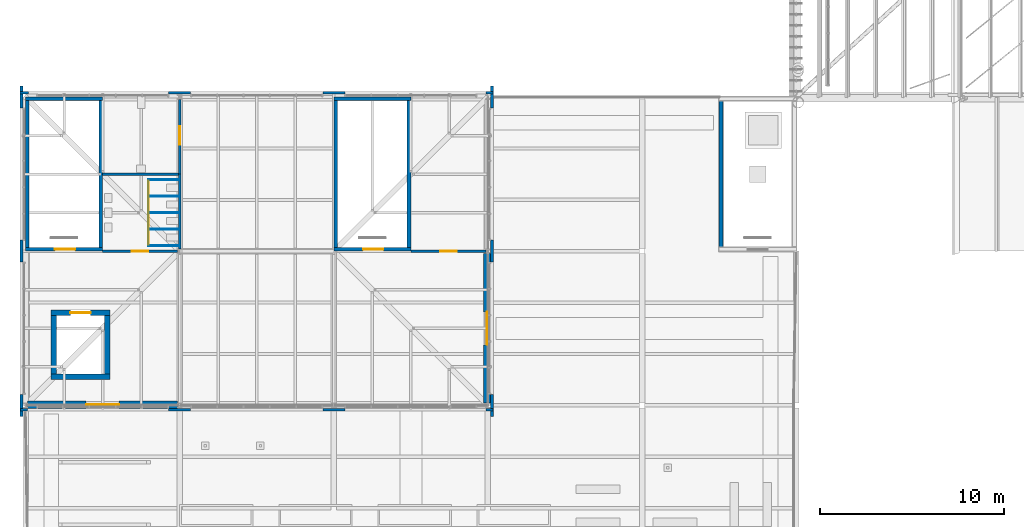
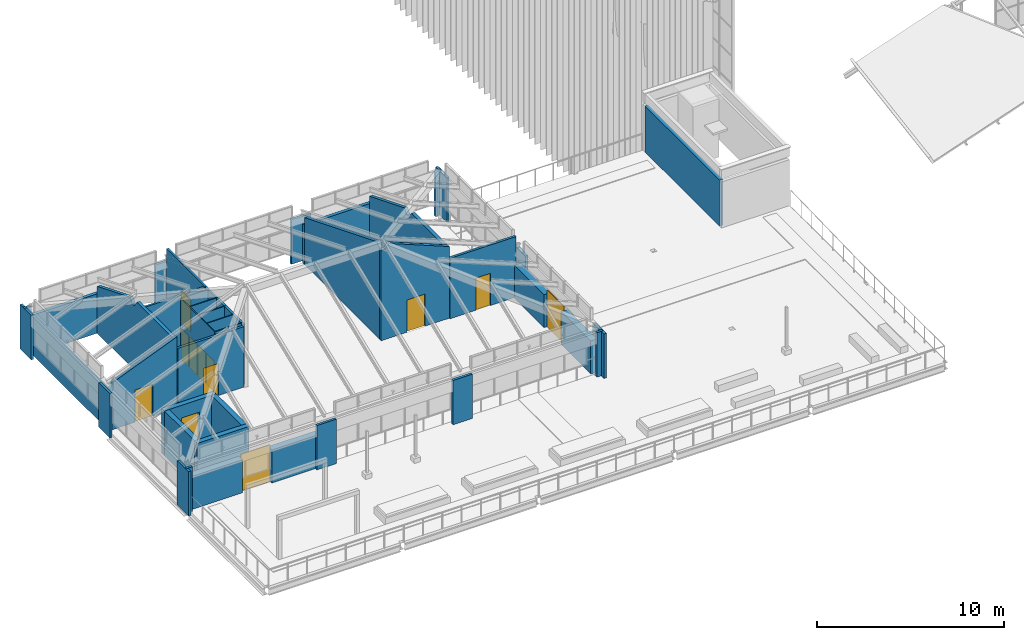
# One storey, part 78 of 126: 40 walls, 12 doors, 12 openings.
"""IFC4 building model written with IfcOpenShell, lengths in metres."""

from ifc_helpers import new_model, si_unit, direction, frame, frame_2d, origin, place, context, subcontext, project, spatial, polyline, rectangle, outline, extrude, material, layer, layer_set, type_object, element, fill, save


model = new_model("IFC4")

# Units and contexts
model_context = context("Model", 3, precision=1e-05, world=origin(), true_north=direction((0.0, 1.0)))
body_context = subcontext(model_context, "Body", "Model", "MODEL_VIEW")
ifc_project = project(units=[si_unit("LENGTHUNIT", "METRE"), si_unit("AREAUNIT", "SQUARE_METRE"), si_unit("VOLUMEUNIT", "CUBIC_METRE"), si_unit("PLANEANGLEUNIT", "RADIAN"), si_unit("MASSUNIT", "GRAM", prefix="KILO")], contexts=[model_context])

# Site, building, storey
site_placement = place(None, origin())
site = spatial("IfcSite", under=ifc_project, at=site_placement, CompositionType="ELEMENT")
building_placement = place(site_placement, origin())
building = spatial("IfcBuilding", under=site, at=building_placement, Name="Sava Quay Ferry Terminal", CompositionType="ELEMENT")
storey_placement = place(building_placement, frame((0.0, 0.0, 15.0)))
storey = spatial("IfcBuildingStorey", under=building, at=storey_placement, Name="L03", CompositionType="ELEMENT", Elevation=15.0)

# Wall, openings, doors
ifc_material_1 = material(Name="High-pressure laminate panel")
ifc_layer_1 = layer(ifc_material_1, 0.050048828125)
ifc_layer_set_1 = layer_set([ifc_layer_1], Name="High-pressure laminate panel")
wall_type_1 = type_object("IfcWallType", Name="Cubicle partition 50", PredefinedType="PARTITIONING", material=ifc_layer_set_1)
wall_1_placement = place(storey_placement, frame((6.699951171875, 42.300048828125, 0.0), z_axis=(0.0, 0.0, 1.0), x_axis=(0.0, 1.0, 0.0)))
wall_1 = element("IfcWall", 1, at=wall_1_placement, inside=storey, type_object=wall_type_1, Name="Cubicle partition panel", PredefinedType="PARTITIONING", context=body_context, shape_type="SweptSolid", body=[
    extrude(rectangle(XDim=3.599853515625, YDim=0.050048828125, at=frame_2d((1.7998046875, 0.0))), origin(), (0.0, 0.0, 1.0), 3.949951171875),
])
opening_1_placement = place(wall_1_placement, frame((0.050048828125, 0.0, 0.0)))
opening_1 = element("IfcOpeningElement", 2, at=opening_1_placement, cuts=wall_1, Name="Opening CD089", PredefinedType="OPENING", context=body_context, shape_type="SweptSolid", body=[
    extrude(rectangle(XDim=0.800048828125, YDim=2.0, at=frame_2d((0.39990234375, 1.0))), frame((0.0, 0.02490234375, 0.0), z_axis=(0.0, -1.0, 0.0), x_axis=(1.0, 0.0, 0.0)), (0.0, 0.0, 1.0), 0.050048828125),
])
opening_2_placement = place(wall_1_placement, frame((0.949951171875, 0.0, 0.0)))
opening_2 = element("IfcOpeningElement", 3, at=opening_2_placement, cuts=wall_1, Name="Opening CD090", PredefinedType="OPENING", context=body_context, shape_type="SweptSolid", body=[
    extrude(rectangle(XDim=0.800048828125, YDim=2.0, at=frame_2d((0.39990234375, 1.0))), frame((0.0, 0.02490234375, 0.0), z_axis=(0.0, -1.0, 0.0), x_axis=(1.0, 0.0, 0.0)), (0.0, 0.0, 1.0), 0.050048828125),
])
opening_3_placement = place(wall_1_placement, frame((1.85009765625, 0.0, 0.0)))
opening_3 = element("IfcOpeningElement", 4, at=opening_3_placement, cuts=wall_1, Name="Opening CD091", PredefinedType="OPENING", context=body_context, shape_type="SweptSolid", body=[
    extrude(rectangle(XDim=0.800048828125, YDim=2.0, at=frame_2d((0.39990234375, 1.0))), frame((0.0, 0.02490234375, 0.0), z_axis=(0.0, -1.0, 0.0), x_axis=(1.0, 0.0, 0.0)), (0.0, 0.0, 1.0), 0.050048828125),
])
opening_4_placement = place(wall_1_placement, frame((2.75, 0.0, 0.0)))
opening_4 = element("IfcOpeningElement", 5, at=opening_4_placement, cuts=wall_1, Name="Opening CD092", PredefinedType="OPENING", context=body_context, shape_type="SweptSolid", body=[
    extrude(rectangle(XDim=0.800048828125, YDim=2.0, at=frame_2d((0.39990234375, 1.0))), frame((0.0, 0.02490234375, 0.0), z_axis=(0.0, -1.0, 0.0), x_axis=(1.0, 0.0, 0.0)), (0.0, 0.0, 1.0), 0.050048828125),
])
ifc_material_2 = material(Name="Laminate door set")
door_type_1 = type_object("IfcDoorType", Name="Cubicle door 800 x 2000", OperationType="NOTDEFINED", PredefinedType="DOOR", material=ifc_material_2)
door_1_placement = place(opening_1_placement, origin())
door_1 = element("IfcDoor", 6, at=door_1_placement, inside=storey, type_object=door_type_1, Name="Cubicle door", OperationType="SINGLE_SWING_RIGHT", OverallHeight=2.0, OverallWidth=0.800048828125, PredefinedType="DOOR", context=body_context, shape_type="SweptSolid", body=[
    extrude(rectangle(XDim=0.800048828125, YDim=2.0, at=frame_2d((0.39990234375, 1.0))), frame((0.0, 0.02490234375, 0.0), z_axis=(0.0, -1.0, 0.0), x_axis=(1.0, 0.0, 0.0)), (0.0, 0.0, 1.0), 0.049560546875),
])
fill(opening_1, door_1)
door_2_placement = place(opening_2_placement, origin())
door_2 = element("IfcDoor", 7, at=door_2_placement, inside=storey, type_object=door_type_1, Name="Cubicle door", OperationType="SINGLE_SWING_LEFT", OverallHeight=2.0, OverallWidth=0.800048828125, PredefinedType="DOOR", context=body_context, shape_type="SweptSolid", body=[
    extrude(rectangle(XDim=0.800048828125, YDim=2.0, at=frame_2d((0.39990234375, 1.0))), frame((0.0, 0.02490234375, 0.0), z_axis=(0.0, -1.0, 0.0), x_axis=(1.0, 0.0, 0.0)), (0.0, 0.0, 1.0), 0.049560546875),
])
fill(opening_2, door_2)
door_3_placement = place(opening_3_placement, origin())
door_3 = element("IfcDoor", 8, at=door_3_placement, inside=storey, type_object=door_type_1, Name="Cubicle door", OperationType="SINGLE_SWING_RIGHT", OverallHeight=2.0, OverallWidth=0.800048828125, PredefinedType="DOOR", context=body_context, shape_type="SweptSolid", body=[
    extrude(rectangle(XDim=0.800048828125, YDim=2.0, at=frame_2d((0.39990234375, 1.0))), frame((0.0, 0.02490234375, 0.0), z_axis=(0.0, -1.0, 0.0), x_axis=(1.0, 0.0, 0.0)), (0.0, 0.0, 1.0), 0.049560546875),
])
fill(opening_3, door_3)
door_4_placement = place(opening_4_placement, origin())
door_4 = element("IfcDoor", 9, at=door_4_placement, inside=storey, type_object=door_type_1, Name="Cubicle door", OperationType="SINGLE_SWING_LEFT", OverallHeight=2.0, OverallWidth=0.800048828125, PredefinedType="DOOR", context=body_context, shape_type="SweptSolid", body=[
    extrude(rectangle(XDim=0.800048828125, YDim=2.0, at=frame_2d((0.39990234375, 1.0))), frame((0.0, 0.02490234375, 0.0), z_axis=(0.0, -1.0, 0.0), x_axis=(1.0, 0.0, 0.0)), (0.0, 0.0, 1.0), 0.049560546875),
])
fill(opening_4, door_4)

# Walls
for number, where, z_axis, x_axis, name in (
    (10, (8.39990234375, 42.300048828125, 0.0), (0.0, 0.0, 1.0), (-1.0, 0.0, 0.0), "Cubicle partition panel"),
    (11, (8.39990234375, 43.199951171875, 0.0), (0.0, 0.0, 1.0), (-1.0, 0.0, 0.0), "Cubicle partition panel"),
    (12, (8.39990234375, 44.10009765625, 0.0), (0.0, 0.0, 1.0), (-1.0, 0.0, 0.0), "Cubicle partition panel"),
    (13, (8.39990234375, 45.0, 0.0), (0.0, 0.0, 1.0), (-1.0, 0.0, 0.0), "Cubicle partition panel"),
    (14, (8.39990234375, 45.89990234375, 0.0), (0.0, 0.0, 1.0), (-1.0, 0.0, 0.0), "Cubicle partition panel"),
):
    element("IfcWall", number, at=place(storey_placement, frame(where, z_axis=z_axis, x_axis=x_axis)), inside=storey, type_object=wall_type_1, Name=name, PredefinedType="PARTITIONING", context=body_context, shape_type="SweptSolid", body=[
        extrude(rectangle(XDim=1.699951171875, YDim=0.050048828125, at=frame_2d((0.85009765625, 0.0))), origin(), (0.0, 0.0, 1.0), 3.949951171875),
    ])
ifc_material_3 = material(Name="Limestone Mutalj", Category="masonry")
ifc_layer_2 = layer(ifc_material_3, 0.14990234375)
ifc_layer_set_2 = layer_set([ifc_layer_2], Name="Limestone Mutalj")
wall_type_2 = type_object("IfcWallType", Name="Pier cladding 150", PredefinedType="SOLIDWALL", material=ifc_layer_set_2)
wall_2_placement = place(storey_placement, frame((-0.22509765625, 33.0, 0.0), z_axis=(0.0, 0.0, 1.0), x_axis=(0.0, 1.0, 0.0)))
element("IfcWall", 15, at=wall_2_placement, inside=storey, type_object=wall_type_2, Name="Pier W-W-PAV grid 33.6", PredefinedType="SOLIDWALL", context=body_context, shape_type="SweptSolid", body=[
    extrude(rectangle(XDim=1.199951171875, YDim=0.14990234375, at=frame_2d((0.60009765625, 0.0))), origin(), (0.0, 0.0, 1.0), 2.89990234375),
])
wall_3_placement = place(storey_placement, frame((-0.22509765625, 41.39990234375, 0.0), z_axis=(0.0, 0.0, 1.0), x_axis=(0.0, 1.0, 0.0)))
element("IfcWall", 16, at=wall_3_placement, inside=storey, type_object=wall_type_2, Name="Pier W-W-PAV grid 42", PredefinedType="SOLIDWALL", context=body_context, shape_type="SweptSolid", body=[
    extrude(rectangle(XDim=1.2001953125, YDim=0.14990234375, at=frame_2d((0.60009765625, 0.0))), origin(), (0.0, 0.0, 1.0), 2.89990234375),
])
wall_4_placement = place(storey_placement, frame((-0.22509765625, 49.800048828125, 0.0), z_axis=(0.0, 0.0, 1.0), x_axis=(0.0, 1.0, 0.0)))
element("IfcWall", 17, at=wall_4_placement, inside=storey, type_object=wall_type_2, Name="Pier W-W-PAV grid 50.4", PredefinedType="SOLIDWALL", context=body_context, shape_type="SweptSolid", body=[
    extrude(rectangle(XDim=1.199951171875, YDim=0.14990234375, at=frame_2d((0.60009765625, 0.0))), origin(), (0.0, 0.0, 1.0), 2.89990234375),
])
wall_5_placement = place(storey_placement, frame((-0.300048828125, 50.635009765625, 0.0), z_axis=(0.0, 0.0, 1.0), x_axis=(1.0, 0.0, 0.0)))
element("IfcWall", 18, at=wall_5_placement, inside=storey, type_object=wall_type_2, Name="Pier W-N-PAV grid 0", PredefinedType="SOLIDWALL", context=body_context, shape_type="SweptSolid", body=[
    extrude(rectangle(XDim=0.449951171875, YDim=0.14990234375, at=frame_2d((0.22509765625, 0.0))), origin(), (0.0, 0.0, 1.0), 2.89990234375),
])
for number, where, z_axis, x_axis, name in (
    (19, (7.800048828125, 50.635009765625, 0.0), (0.0, 0.0, 1.0), (1.0, 0.0, 0.0), "Pier W-N-PAV grid 8.4"),
    (20, (16.199951171875, 50.635009765625, 0.0), (0.0, 0.0, 1.0), (1.0, 0.0, 0.0), "Pier W-N-PAV grid 16.8"),
):
    element("IfcWall", number, at=place(storey_placement, frame(where, z_axis=z_axis, x_axis=x_axis)), inside=storey, type_object=wall_type_2, Name=name, PredefinedType="SOLIDWALL", context=body_context, shape_type="SweptSolid", body=[
        extrude(rectangle(XDim=1.199951171875, YDim=0.14990234375, at=frame_2d((0.60009765625, 0.0))), origin(), (0.0, 0.0, 1.0), 2.89990234375),
    ])
wall_6_placement = place(storey_placement, frame((25.080078125, 50.635009765625, 0.0), z_axis=(0.0, 0.0, 1.0), x_axis=(1.0, 0.0, 0.0)))
element("IfcWall", 21, at=wall_6_placement, inside=storey, type_object=wall_type_2, Name="Pier W-N-PAV grid 25.2", PredefinedType="SOLIDWALL", context=body_context, shape_type="SweptSolid", body=[
    extrude(rectangle(XDim=0.389892578125, YDim=0.14990234375, at=frame_2d((0.19482421875, 0.0))), origin(), (0.0, 0.0, 1.0), 2.89990234375),
])
wall_7_placement = place(storey_placement, frame((25.425048828125, 33.0, 0.0), z_axis=(0.0, 0.0, 1.0), x_axis=(0.0, 1.0, 0.0)))
element("IfcWall", 22, at=wall_7_placement, inside=storey, type_object=wall_type_2, Name="Pier W-E-PAV grid 33.6", PredefinedType="SOLIDWALL", context=body_context, shape_type="SweptSolid", body=[
    extrude(rectangle(XDim=1.199951171875, YDim=0.14990234375, at=frame_2d((0.60009765625, 0.0))), origin(), (0.0, 0.0, 1.0), 2.89990234375),
])
wall_8_placement = place(storey_placement, frame((25.425048828125, 41.39990234375, 0.0), z_axis=(0.0, 0.0, 1.0), x_axis=(0.0, 1.0, 0.0)))
element("IfcWall", 23, at=wall_8_placement, inside=storey, type_object=wall_type_2, Name="Pier W-E-PAV grid 42", PredefinedType="SOLIDWALL", context=body_context, shape_type="SweptSolid", body=[
    extrude(rectangle(XDim=1.2001953125, YDim=0.14990234375, at=frame_2d((0.60009765625, 0.0))), origin(), (0.0, 0.0, 1.0), 2.89990234375),
])
wall_9_placement = place(storey_placement, frame((25.425048828125, 49.800048828125, 0.0), z_axis=(0.0, 0.0, 1.0), x_axis=(0.0, 1.0, 0.0)))
element("IfcWall", 24, at=wall_9_placement, inside=storey, type_object=wall_type_2, Name="Pier W-E-PAV grid 50.4", PredefinedType="SOLIDWALL", context=body_context, shape_type="SweptSolid", body=[
    extrude(rectangle(XDim=1.199951171875, YDim=0.14990234375, at=frame_2d((0.60009765625, 0.0))), origin(), (0.0, 0.0, 1.0), 2.89990234375),
])
wall_10_placement = place(storey_placement, frame((-0.27001953125, 33.364990234375, 0.0), z_axis=(0.0, 0.0, 1.0), x_axis=(1.0, 0.0, 0.0)))
element("IfcWall", 25, at=wall_10_placement, inside=storey, type_object=wall_type_2, Name="Pier W-S-PAV grid 0", PredefinedType="SOLIDWALL", context=body_context, shape_type="SweptSolid", body=[
    extrude(rectangle(XDim=0.39013671875, YDim=0.14990234375, at=frame_2d((0.195068359375, 0.0))), origin(), (0.0, 0.0, 1.0), 2.89990234375),
])
for number, where, z_axis, x_axis, name in (
    (26, (7.800048828125, 33.364990234375, 0.0), (0.0, 0.0, 1.0), (1.0, 0.0, 0.0), "Pier W-S-PAV grid 8.4"),
    (27, (16.199951171875, 33.364990234375, 0.0), (0.0, 0.0, 1.0), (1.0, 0.0, 0.0), "Pier W-S-PAV grid 16.8"),
):
    element("IfcWall", number, at=place(storey_placement, frame(where, z_axis=z_axis, x_axis=x_axis)), inside=storey, type_object=wall_type_2, Name=name, PredefinedType="SOLIDWALL", context=body_context, shape_type="SweptSolid", body=[
        extrude(rectangle(XDim=1.199951171875, YDim=0.14990234375, at=frame_2d((0.60009765625, 0.0))), origin(), (0.0, 0.0, 1.0), 2.89990234375),
    ])
wall_11_placement = place(storey_placement, frame((25.080078125, 33.364990234375, 0.0), z_axis=(0.0, 0.0, 1.0), x_axis=(1.0, 0.0, 0.0)))
element("IfcWall", 28, at=wall_11_placement, inside=storey, type_object=wall_type_2, Name="Pier W-S-PAV grid 25.2", PredefinedType="SOLIDWALL", context=body_context, shape_type="SweptSolid", body=[
    extrude(rectangle(XDim=0.389892578125, YDim=0.14990234375, at=frame_2d((0.19482421875, 0.0))), origin(), (0.0, 0.0, 1.0), 2.89990234375),
])

# Wall, opening, door
ifc_material_4 = material(Name="Masonry blockwork", Category="masonry")
ifc_layer_3 = layer(ifc_material_4, 0.14990234375)
ifc_layer_set_3 = layer_set([ifc_layer_3], Name="Masonry blockwork")
wall_type_3 = type_object("IfcWallType", Name="Plant, store and lobby wall, blockwork 150", PredefinedType="PARTITIONING", material=ifc_layer_set_3)
wall_12_placement = place(storey_placement, frame((4.199951171875, 42.0, 0.0), z_axis=(0.0, 0.0, 1.0), x_axis=(1.0, 0.0, 0.0)))
wall_12 = element("IfcWall", 29, at=wall_12_placement, inside=storey, type_object=wall_type_3, Name="Plant, store and lobby wall, blockwork 150", PredefinedType="PARTITIONING", context=body_context, shape_type="SweptSolid", body=[
    extrude(rectangle(XDim=4.080078125, YDim=0.14990234375, at=frame_2d((2.0400390625, 0.0))), origin(), (0.0, 0.0, 1.0), 3.949951171875),
])
opening_5_placement = place(wall_12_placement, frame((1.60009765625, 0.0, 0.0)))
opening_5 = element("IfcOpeningElement", 30, at=opening_5_placement, cuts=wall_12, Name="Opening D0301", PredefinedType="OPENING", context=body_context, shape_type="SweptSolid", body=[
    extrude(rectangle(XDim=0.89990234375, YDim=2.10009765625, at=frame_2d((0.449951171875, 1.050048828125))), frame((0.0, 0.074951171875, 0.0), z_axis=(0.0, -1.0, 0.0), x_axis=(1.0, 0.0, 0.0)), (0.0, 0.0, 1.0), 0.14990234375),
])
ifc_material_5 = material(Name="Laminate door set")
door_type_2 = type_object("IfcDoorType", Name="Toilet door 900 x 2100", OperationType="NOTDEFINED", PredefinedType="DOOR", material=ifc_material_5)
door_5_placement = place(opening_5_placement, origin())
door_5 = element("IfcDoor", 31, at=door_5_placement, inside=storey, type_object=door_type_2, Name="Door D0301", OperationType="SINGLE_SWING_LEFT", OverallHeight=2.10009765625, OverallWidth=0.89990234375, PredefinedType="DOOR", context=body_context, shape_type="SweptSolid", body=[
    extrude(rectangle(XDim=0.89990234375, YDim=2.10009765625, at=frame_2d((0.449951171875, 1.050048828125))), frame((0.0, 0.02490234375, 0.0), z_axis=(0.0, -1.0, 0.0), x_axis=(1.0, 0.0, 0.0)), (0.0, 0.0, 1.0), 0.050048828125),
])
fill(opening_5, door_5)

wall_13_placement = place(storey_placement, frame((21.0, 42.0, 0.0), z_axis=(0.0, 0.0, 1.0), x_axis=(1.0, 0.0, 0.0)))
wall_13 = element("IfcWall", 32, at=wall_13_placement, inside=storey, type_object=wall_type_3, Name="Plant, store and lobby wall, blockwork 150", PredefinedType="PARTITIONING", context=body_context, shape_type="SweptSolid", body=[
    extrude(rectangle(XDim=4.080078125, YDim=0.14990234375, at=frame_2d((2.0400390625, 0.0))), origin(), (0.0, 0.0, 1.0), 3.949951171875),
])
opening_6_placement = place(wall_13_placement, frame((1.60009765625, 0.0, 0.0)))
opening_6 = element("IfcOpeningElement", 33, at=opening_6_placement, cuts=wall_13, Name="Opening D0303", PredefinedType="OPENING", context=body_context, shape_type="SweptSolid", body=[
    extrude(rectangle(XDim=0.89990234375, YDim=2.10009765625, at=frame_2d((0.449951171875, 1.050048828125))), frame((0.0, 0.074951171875, 0.0), z_axis=(0.0, -1.0, 0.0), x_axis=(1.0, 0.0, 0.0)), (0.0, 0.0, 1.0), 0.14990234375),
])
ifc_material_6 = material(Name="Timber door set", Category="wood")
door_type_3 = type_object("IfcDoorType", Name="Single door 900 x 2100", OperationType="NOTDEFINED", PredefinedType="DOOR", material=ifc_material_6)
door_6_placement = place(opening_6_placement, origin())
door_6 = element("IfcDoor", 34, at=door_6_placement, inside=storey, type_object=door_type_3, Name="Door D0303", OperationType="SINGLE_SWING_LEFT", OverallHeight=2.10009765625, OverallWidth=0.89990234375, PredefinedType="DOOR", context=body_context, shape_type="SweptSolid", body=[
    extrude(rectangle(XDim=0.89990234375, YDim=2.10009765625, at=frame_2d((0.449951171875, 1.050048828125))), frame((0.0, 0.02490234375, 0.0), z_axis=(0.0, -1.0, 0.0), x_axis=(1.0, 0.0, 0.0)), (0.0, 0.0, 1.0), 0.050048828125),
])
fill(opening_6, door_6)

ifc_material_7 = material(Name="Concrete C35/45", Category="concrete")
ifc_layer_4 = layer(ifc_material_7, 0.199951171875)
ifc_layer_set_4 = layer_set([ifc_layer_4], Name="Concrete C35/45")
wall_type_4 = type_object("IfcWallType", Name="RC core wall 200", PredefinedType="SHEAR", material=ifc_layer_set_4)
wall_14_placement = place(storey_placement, frame((0.0, 42.10009765625, 0.0), z_axis=(0.0, 0.0, 1.0), x_axis=(1.0, 0.0, 0.0)))
wall_14 = element("IfcWall", 35, at=wall_14_placement, inside=storey, type_object=wall_type_4, Name="Core wall ST-W1 S L03", PredefinedType="SHEAR", context=body_context, shape_type="SweptSolid", body=[
    extrude(outline(polyline([(0.0, 0.0), (4.199951171875, 0.0), (4.199951171875, 4.6787109375), (0.2470703125, 3.08154296875), (0.0, 2.571533203125), (0.0, 0.0)])), frame((0.0, 0.10009765625, 0.0), z_axis=(0.0, -1.0, 0.0), x_axis=(1.0, 0.0, 0.0)), (0.0, 0.0, 1.0), 0.199951171875),
])
opening_7_placement = place(wall_14_placement, frame((1.60009765625, 0.0, 0.0)))
opening_7 = element("IfcOpeningElement", 36, at=opening_7_placement, cuts=wall_14, Name="Opening DS0301", PredefinedType="OPENING", context=body_context, shape_type="SweptSolid", body=[
    extrude(rectangle(XDim=1.10009765625, YDim=2.10009765625, at=frame_2d((0.550048828125, 1.050048828125))), frame((0.0, 0.10009765625, 0.0), z_axis=(0.0, -1.0, 0.0), x_axis=(1.0, 0.0, 0.0)), (0.0, 0.0, 1.0), 0.199951171875),
])
ifc_material_8 = material(Name="Steel fire door set", Category="steel")
door_type_4 = type_object("IfcDoorType", Name="Stair fire door 1100 x 2100", OperationType="NOTDEFINED", PredefinedType="DOOR", material=ifc_material_8)
door_7_placement = place(opening_7_placement, origin())
door_7 = element("IfcDoor", 37, at=door_7_placement, inside=storey, type_object=door_type_4, Name="Door DS0301", OperationType="SINGLE_SWING_RIGHT", OverallHeight=2.10009765625, OverallWidth=1.10009765625, PredefinedType="DOOR", context=body_context, shape_type="SweptSolid", body=[
    extrude(rectangle(XDim=1.10009765625, YDim=2.10009765625, at=frame_2d((0.550048828125, 1.050048828125))), frame((0.0, 0.02490234375, 0.0), z_axis=(0.0, -1.0, 0.0), x_axis=(1.0, 0.0, 0.0)), (0.0, 0.0, 1.0), 0.050048828125),
])
fill(opening_7, door_7)

# Walls
wall_15_placement = place(storey_placement, frame((0.0, 50.300048828125, 0.0), z_axis=(0.0, 0.0, 1.0), x_axis=(1.0, 0.0, 0.0)))
element("IfcWall", 38, at=wall_15_placement, inside=storey, type_object=wall_type_4, Name="Core wall ST-W1 N L03", PredefinedType="SHEAR", context=body_context, shape_type="SweptSolid", body=[
    extrude(outline(polyline([(0.0, 0.0), (4.199951171875, 0.0), (4.199951171875, 2.571533203125), (0.0, 2.571533203125), (0.0, 0.0)])), frame((0.0, 0.10009765625, 0.0), z_axis=(0.0, -1.0, 0.0), x_axis=(1.0, 0.0, 0.0)), (0.0, 0.0, 1.0), 0.199951171875),
])
wall_16_placement = place(storey_placement, frame((0.10009765625, 42.199951171875, 0.0), z_axis=(0.0, 0.0, 1.0), x_axis=(0.0, 1.0, 0.0)))
element("IfcWall", 39, at=wall_16_placement, inside=storey, type_object=wall_type_4, Name="Core wall ST-W1 W L03", PredefinedType="SHEAR", context=body_context, shape_type="SweptSolid", body=[
    extrude(outline(polyline([(0.0, 0.0), (8.0, 0.0), (8.0, 2.571533203125), (0.0, 2.571533203125), (0.0, 0.0)])), frame((0.0, 0.10009765625, 0.0), z_axis=(0.0, -1.0, 0.0), x_axis=(1.0, 0.0, 0.0)), (0.0, 0.0, 1.0), 0.199951171875),
])
wall_17_placement = place(storey_placement, frame((4.10009765625, 42.199951171875, 0.0), z_axis=(0.0, 0.0, 1.0), x_axis=(0.0, 1.0, 0.0)))
element("IfcWall", 40, at=wall_17_placement, inside=storey, type_object=wall_type_4, Name="Core wall ST-W1 E L03", PredefinedType="SHEAR", context=body_context, shape_type="SweptSolid", body=[
    extrude(outline(polyline([(0.0, 0.0), (8.0, 0.0), (8.0, 3.0625), (4.5, 4.4765625), (4.25, 4.177490234375), (4.0, 4.22802734375), (3.75, 4.597900390625), (0.0, 4.597900390625), (0.0, 0.0)])), frame((0.0, 0.10009765625, 0.0), z_axis=(0.0, -1.0, 0.0), x_axis=(1.0, 0.0, 0.0)), (0.0, 0.0, 1.0), 0.199951171875),
])
wall_18_placement = place(storey_placement, frame((37.89990234375, 42.199951171875, 0.0), z_axis=(0.0, 0.0, 1.0), x_axis=(0.0, 1.0, 0.0)))
element("IfcWall", 41, at=wall_18_placement, inside=storey, type_object=wall_type_4, Name="Core wall ST-W2 W L03", PredefinedType="SHEAR", context=body_context, shape_type="SweptSolid", body=[
    extrude(rectangle(XDim=8.0, YDim=0.199951171875, at=frame_2d((4.0, 0.0))), origin(), (0.0, 0.0, 1.0), 3.0),
])

# Wall, opening, door
wall_19_placement = place(storey_placement, frame((16.800048828125, 42.10009765625, 0.0), z_axis=(0.0, 0.0, 1.0), x_axis=(1.0, 0.0, 0.0)))
wall_19 = element("IfcWall", 42, at=wall_19_placement, inside=storey, type_object=wall_type_4, Name="Core wall ST-W3 S L03", PredefinedType="SHEAR", context=body_context, shape_type="SweptSolid", body=[
    extrude(outline(polyline([(0.0, 0.0), (4.199951171875, 0.0), (4.199951171875, 4.6787109375), (0.494140625, 6.17578125), (0.2470703125, 5.875), (0.0, 5.9248046875), (0.0, 0.0)])), frame((0.0, 0.10009765625, 0.0), z_axis=(0.0, -1.0, 0.0), x_axis=(1.0, 0.0, 0.0)), (0.0, 0.0, 1.0), 0.199951171875),
])
opening_8_placement = place(wall_19_placement, frame((1.60009765625, 0.0, 0.0)))
opening_8 = element("IfcOpeningElement", 43, at=opening_8_placement, cuts=wall_19, Name="Opening DS0302", PredefinedType="OPENING", context=body_context, shape_type="SweptSolid", body=[
    extrude(rectangle(XDim=1.10009765625, YDim=2.10009765625, at=frame_2d((0.550048828125, 1.050048828125))), frame((0.0, 0.10009765625, 0.0), z_axis=(0.0, -1.0, 0.0), x_axis=(1.0, 0.0, 0.0)), (0.0, 0.0, 1.0), 0.199951171875),
])
door_8_placement = place(opening_8_placement, origin())
door_8 = element("IfcDoor", 44, at=door_8_placement, inside=storey, type_object=door_type_4, Name="Door DS0302", OperationType="SINGLE_SWING_RIGHT", OverallHeight=2.10009765625, OverallWidth=1.10009765625, PredefinedType="DOOR", context=body_context, shape_type="SweptSolid", body=[
    extrude(rectangle(XDim=1.10009765625, YDim=2.10009765625, at=frame_2d((0.550048828125, 1.050048828125))), frame((0.0, 0.02490234375, 0.0), z_axis=(0.0, -1.0, 0.0), x_axis=(1.0, 0.0, 0.0)), (0.0, 0.0, 1.0), 0.050048828125),
])
fill(opening_8, door_8)

# Walls
wall_20_placement = place(storey_placement, frame((16.800048828125, 50.300048828125, 0.0), z_axis=(0.0, 0.0, 1.0), x_axis=(1.0, 0.0, 0.0)))
element("IfcWall", 45, at=wall_20_placement, inside=storey, type_object=wall_type_4, Name="Core wall ST-W3 N L03", PredefinedType="SHEAR", context=body_context, shape_type="SweptSolid", body=[
    extrude(outline(polyline([(0.0, 0.0), (4.199951171875, 0.0), (4.199951171875, 2.571533203125), (0.0, 2.571533203125), (0.0, 0.0)])), frame((0.0, 0.10009765625, 0.0), z_axis=(0.0, -1.0, 0.0), x_axis=(1.0, 0.0, 0.0)), (0.0, 0.0, 1.0), 0.199951171875),
])
wall_21_placement = place(storey_placement, frame((16.89990234375, 42.199951171875, 0.0), z_axis=(0.0, 0.0, 1.0), x_axis=(0.0, 1.0, 0.0)))
element("IfcWall", 46, at=wall_21_placement, inside=storey, type_object=wall_type_4, Name="Core wall ST-W3 W L03", PredefinedType="SHEAR", context=body_context, shape_type="SweptSolid", body=[
    extrude(outline(polyline([(0.0, 0.0), (8.0, 0.0), (8.0, 3.0625), (0.25, 6.193603515625), (0.0, 5.884521484375), (0.0, 0.0)])), frame((0.0, 0.10009765625, 0.0), z_axis=(0.0, -1.0, 0.0), x_axis=(1.0, 0.0, 0.0)), (0.0, 0.0, 1.0), 0.199951171875),
])
wall_22_placement = place(storey_placement, frame((20.89990234375, 42.199951171875, 0.0), z_axis=(0.0, 0.0, 1.0), x_axis=(0.0, 1.0, 0.0)))
element("IfcWall", 47, at=wall_22_placement, inside=storey, type_object=wall_type_4, Name="Core wall ST-W3 E L03", PredefinedType="SHEAR", context=body_context, shape_type="SweptSolid", body=[
    extrude(outline(polyline([(0.0, 0.0), (8.0, 0.0), (8.0, 3.0625), (4.25, 4.57763671875), (4.0, 4.268310546875), (3.75, 4.339111328125), (3.5, 4.6787109375), (0.0, 4.6787109375), (0.0, 0.0)])), frame((0.0, 0.10009765625, 0.0), z_axis=(0.0, -1.0, 0.0), x_axis=(1.0, 0.0, 0.0)), (0.0, 0.0, 1.0), 0.199951171875),
])
ifc_material_9 = material(Name="Concrete C35/45", Category="concrete")
ifc_layer_5 = layer(ifc_material_9, 0.300048828125)
ifc_layer_set_5 = layer_set([ifc_layer_5], Name="Concrete C35/45")
wall_type_5 = type_object("IfcWallType", Name="RC core wall 300", PredefinedType="SHEAR", material=ifc_layer_set_5)
wall_23_placement = place(storey_placement, frame((1.39990234375, 35.14990234375, 0.0), z_axis=(0.0, 0.0, 1.0), x_axis=(1.0, 0.0, 0.0)))
element("IfcWall", 48, at=wall_23_placement, inside=storey, type_object=wall_type_5, Name="Core wall LF-W1 S L03", PredefinedType="SHEAR", context=body_context, shape_type="SweptSolid", body=[
    extrude(rectangle(XDim=3.2001953125, YDim=0.300048828125, at=frame_2d((1.60009765625, 0.0))), origin(), (0.0, 0.0, 1.0), 2.929931640625),
])

# Wall, opening, door
wall_24_placement = place(storey_placement, frame((1.39990234375, 38.64990234375, 0.0), z_axis=(0.0, 0.0, 1.0), x_axis=(1.0, 0.0, 0.0)))
wall_24 = element("IfcWall", 49, at=wall_24_placement, inside=storey, type_object=wall_type_5, Name="Core wall LF-W1 N L03", PredefinedType="SHEAR", context=body_context, shape_type="SweptSolid", body=[
    extrude(rectangle(XDim=3.2001953125, YDim=0.300048828125, at=frame_2d((1.60009765625, 0.0))), origin(), (0.0, 0.0, 1.0), 2.929931640625),
])
opening_9_placement = place(wall_24_placement, frame((1.050048828125, 0.0, 0.0)))
opening_9 = element("IfcOpeningElement", 50, at=opening_9_placement, cuts=wall_24, Name="Opening LD0301", PredefinedType="OPENING", context=body_context, shape_type="SweptSolid", body=[
    extrude(rectangle(XDim=1.10009765625, YDim=2.10009765625, at=frame_2d((0.550048828125, 1.050048828125))), frame((0.0, 0.14990234375, 0.0), z_axis=(0.0, -1.0, 0.0), x_axis=(1.0, 0.0, 0.0)), (0.0, 0.0, 1.0), 0.300048828125),
])
ifc_material_10 = material(Name="Stainless steel", Category="steel")
door_type_5 = type_object("IfcDoorType", Name="Lift landing door 1100 x 2100", OperationType="NOTDEFINED", PredefinedType="DOOR", material=ifc_material_10)
door_9_placement = place(opening_9_placement, origin())
door_9 = element("IfcDoor", 51, at=door_9_placement, inside=storey, type_object=door_type_5, Name="Door LD0301", OperationType="SLIDING_TO_LEFT", OverallHeight=2.10009765625, OverallWidth=1.10009765625, PredefinedType="DOOR", context=body_context, shape_type="SweptSolid", body=[
    extrude(rectangle(XDim=1.10009765625, YDim=2.10009765625, at=frame_2d((0.550048828125, 1.050048828125))), frame((0.0, 0.02490234375, 0.0), z_axis=(0.0, -1.0, 0.0), x_axis=(1.0, 0.0, 0.0)), (0.0, 0.0, 1.0), 0.050048828125),
])
fill(opening_9, door_9)

# Walls
for number, where, z_axis, x_axis, name in (
    (52, (1.550048828125, 35.300048828125, 0.0), (0.0, 0.0, 1.0), (0.0, 1.0, 0.0), "Core wall LF-W1 W L03"),
    (53, (4.449951171875, 35.300048828125, 0.0), (0.0, 0.0, 1.0), (0.0, 1.0, 0.0), "Core wall LF-W1 E L03"),
):
    element("IfcWall", number, at=place(storey_placement, frame(where, z_axis=z_axis, x_axis=x_axis)), inside=storey, type_object=wall_type_5, Name=name, PredefinedType="SHEAR", context=body_context, shape_type="SweptSolid", body=[
        extrude(rectangle(XDim=3.199951171875, YDim=0.300048828125, at=frame_2d((1.60009765625, 0.0))), origin(), (0.0, 0.0, 1.0), 2.929931640625),
    ])

# Wall, opening, door
ifc_material_11 = material(Name="Sandstone Bela Voda", Category="masonry")
ifc_layer_6 = layer(ifc_material_11, 0.39990234375)
ifc_layer_set_6 = layer_set([ifc_layer_6], Name="Sandstone Bela Voda")
wall_type_6 = type_object("IfcWallType", Name="Sandstone ashlar infill 400", PredefinedType="SOLIDWALL", material=ifc_layer_set_6)
wall_25_placement = place(storey_placement, frame((25.14990234375, 33.719970703125, 0.0), z_axis=(0.0, 0.0, 1.0), x_axis=(0.0, 1.0, 0.0)))
wall_25 = element("IfcWall", 54, at=wall_25_placement, inside=storey, type_object=wall_type_6, Name="External wall W-E-PAV", PredefinedType="SOLIDWALL", context=body_context, shape_type="SweptSolid", body=[
    extrude(rectangle(XDim=8.159912109375, YDim=0.39990234375, at=frame_2d((4.080078125, 0.0))), origin(), (0.0, 0.0, 1.0), 2.14990234375),
])
opening_10_placement = place(wall_25_placement, frame((3.179931640625, 0.0, 0.0)))
opening_10 = element("IfcOpeningElement", 55, at=opening_10_placement, cuts=wall_25, Name="Opening DTX2", PredefinedType="OPENING", context=body_context, shape_type="SweptSolid", body=[
    extrude(rectangle(XDim=1.800048828125, YDim=2.39990234375, at=frame_2d((0.89990234375, 1.199951171875))), frame((0.0, 0.199951171875, 0.0), z_axis=(0.0, -1.0, 0.0), x_axis=(1.0, 0.0, 0.0)), (0.0, 0.0, 1.0), 0.39990234375),
])
ifc_material_12 = material(Name="Aluminium bronze anodised, glazing safety laminated", Category="aluminium")
door_type_6 = type_object("IfcDoorType", Name="Exit double door 1800x2400", OperationType="DOUBLE_DOOR_SINGLE_SWING", PredefinedType="DOOR", material=ifc_material_12)
door_10_placement = place(opening_10_placement, origin())
door_10 = element("IfcDoor", 56, at=door_10_placement, inside=storey, type_object=door_type_6, Name="Door DTX2", OperationType="DOUBLE_DOOR_SINGLE_SWING", OverallHeight=2.39990234375, OverallWidth=1.800048828125, PredefinedType="DOOR", context=body_context, shape_type="SweptSolid", body=[
    extrude(rectangle(XDim=1.800048828125, YDim=2.39990234375, at=frame_2d((0.89990234375, 1.199951171875))), frame((0.0, 0.02490234375, 0.0), z_axis=(0.0, -1.0, 0.0), x_axis=(1.0, 0.0, 0.0)), (0.0, 0.0, 1.0), 0.050048828125),
])
fill(opening_10, door_10)

wall_26_placement = place(storey_placement, frame((0.1201171875, 33.639892578125, 0.0), z_axis=(0.0, 0.0, 1.0), x_axis=(1.0, 0.0, 0.0)))
wall_26 = element("IfcWall", 57, at=wall_26_placement, inside=storey, type_object=wall_type_6, Name="External wall W-S-PAV", PredefinedType="SOLIDWALL", context=body_context, shape_type="SweptSolid", body=[
    extrude(rectangle(XDim=8.159912109375, YDim=0.39990234375, at=frame_2d((4.080078125, 0.0))), origin(), (0.0, 0.0, 1.0), 2.14990234375),
])
opening_11_placement = place(wall_26_placement, frame((3.179931640625, 0.0, 0.0)))
opening_11 = element("IfcOpeningElement", 58, at=opening_11_placement, cuts=wall_26, Name="Opening DTX1", PredefinedType="OPENING", context=body_context, shape_type="SweptSolid", body=[
    extrude(rectangle(XDim=1.800048828125, YDim=2.39990234375, at=frame_2d((0.89990234375, 1.199951171875))), frame((0.0, 0.199951171875, 0.0), z_axis=(0.0, -1.0, 0.0), x_axis=(1.0, 0.0, 0.0)), (0.0, 0.0, 1.0), 0.39990234375),
])
door_11_placement = place(opening_11_placement, origin())
door_11 = element("IfcDoor", 59, at=door_11_placement, inside=storey, type_object=door_type_6, Name="Door DTX1", OperationType="DOUBLE_DOOR_SINGLE_SWING", OverallHeight=2.39990234375, OverallWidth=1.800048828125, PredefinedType="DOOR", context=body_context, shape_type="SweptSolid", body=[
    extrude(rectangle(XDim=1.800048828125, YDim=2.39990234375, at=frame_2d((0.89990234375, 1.199951171875))), frame((0.0, 0.02490234375, 0.0), z_axis=(0.0, -1.0, 0.0), x_axis=(1.0, 0.0, 0.0)), (0.0, 0.0, 1.0), 0.050048828125),
])
fill(opening_11, door_11)

# Walls
ifc_material_13 = material(Name="Moisture-resistant board on steel studs", Category="steel")
ifc_layer_7 = layer(ifc_material_13, 0.125)
ifc_layer_set_7 = layer_set([ifc_layer_7], Name="Moisture-resistant board on steel studs")
wall_type_7 = type_object("IfcWallType", Name="Toilet partition, moisture-resistant board 125", PredefinedType="PARTITIONING", material=ifc_layer_set_7)
wall_27_placement = place(storey_placement, frame((4.199951171875, 46.199951171875, 0.0), z_axis=(0.0, 0.0, 1.0), x_axis=(1.0, 0.0, 0.0)))
element("IfcWall", 60, at=wall_27_placement, inside=storey, type_object=wall_type_7, Name="Toilet partition, moisture-resistant board 125", PredefinedType="PARTITIONING", context=body_context, shape_type="SweptSolid", body=[
    extrude(rectangle(XDim=4.199951171875, YDim=0.125, at=frame_2d((2.10009765625, 0.0))), origin(), (0.0, 0.0, 1.0), 3.949951171875),
])
wall_28_placement = place(storey_placement, frame((8.39990234375, 42.1201171875, 0.0), z_axis=(0.0, 0.0, 1.0), x_axis=(0.0, 1.0, 0.0)))
element("IfcWall", 61, at=wall_28_placement, inside=storey, type_object=wall_type_7, Name="Toilet partition, moisture-resistant board 125", PredefinedType="PARTITIONING", context=body_context, shape_type="SweptSolid", body=[
    extrude(rectangle(XDim=4.079833984375, YDim=0.125, at=frame_2d((2.0400390625, 0.0))), origin(), (0.0, 0.0, 1.0), 3.949951171875),
])

# Wall, opening, door
wall_29_placement = place(storey_placement, frame((8.39990234375, 46.199951171875, 0.0), z_axis=(0.0, 0.0, 1.0), x_axis=(0.0, 1.0, 0.0)))
wall_29 = element("IfcWall", 62, at=wall_29_placement, inside=storey, type_object=wall_type_7, Name="Toilet partition, moisture-resistant board 125", PredefinedType="PARTITIONING", context=body_context, shape_type="SweptSolid", body=[
    extrude(rectangle(XDim=4.080078125, YDim=0.125, at=frame_2d((2.0400390625, 0.0))), origin(), (0.0, 0.0, 1.0), 3.949951171875),
])
opening_12_placement = place(wall_29_placement, frame((1.60009765625, 0.0, 0.0)))
opening_12 = element("IfcOpeningElement", 63, at=opening_12_placement, cuts=wall_29, Name="Opening D0302", PredefinedType="OPENING", context=body_context, shape_type="SweptSolid", body=[
    extrude(rectangle(XDim=1.0, YDim=2.10009765625, at=frame_2d((0.5, 1.050048828125))), frame((0.0, 0.0625, 0.0), z_axis=(0.0, -1.0, 0.0), x_axis=(1.0, 0.0, 0.0)), (0.0, 0.0, 1.0), 0.125),
])
ifc_material_14 = material(Name="Laminate door set")
door_type_7 = type_object("IfcDoorType", Name="Accessible toilet door 1000 x 2100", OperationType="NOTDEFINED", PredefinedType="DOOR", material=ifc_material_14)
door_12_placement = place(opening_12_placement, origin())
door_12 = element("IfcDoor", 64, at=door_12_placement, inside=storey, type_object=door_type_7, Name="Door D0302", OperationType="SINGLE_SWING_RIGHT", OverallHeight=2.10009765625, OverallWidth=1.0, PredefinedType="DOOR", context=body_context, shape_type="SweptSolid", body=[
    extrude(rectangle(XDim=1.0, YDim=2.10009765625, at=frame_2d((0.5, 1.050048828125))), frame((0.0, 0.02490234375, 0.0), z_axis=(0.0, -1.0, 0.0), x_axis=(1.0, 0.0, 0.0)), (0.0, 0.0, 1.0), 0.050048828125),
])
fill(opening_12, door_12)

save(model, "model.ifc")
